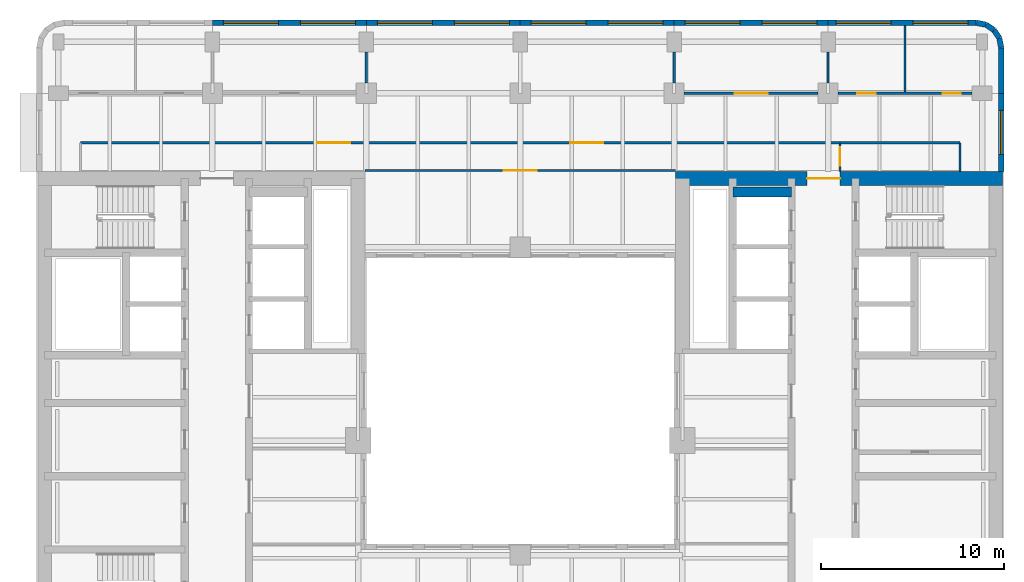
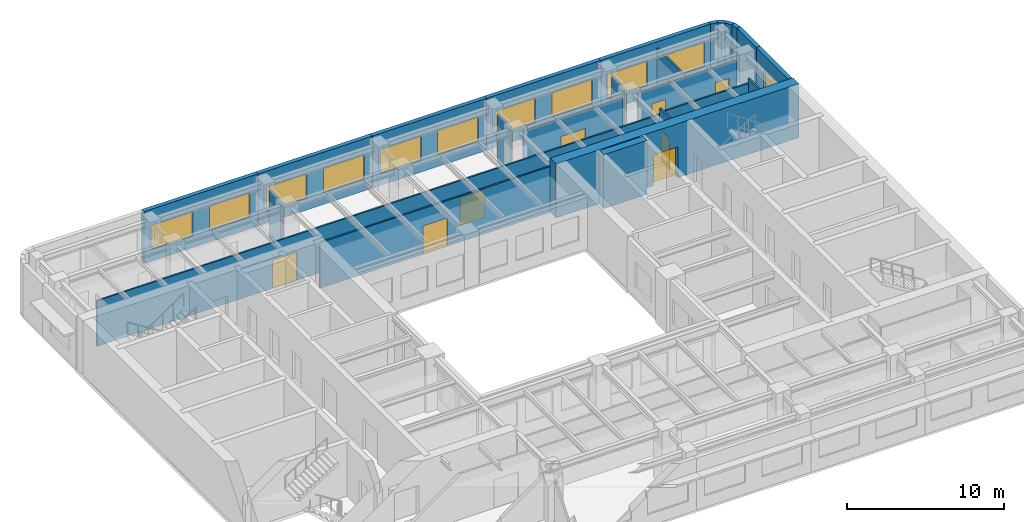
# One storey, part 7 of 11: 24 walls, 11 windows, 8 doors, 19 openings.
"""IFC4 building model written with IfcOpenShell, lengths in metres."""

from ifc_helpers import new_model, si_unit, direction, frame, frame_2d, origin, place, context, subcontext, project, spatial, rectangle, extrude, material, layer, layer_set, type_object, element, fill, save


model = new_model("IFC4")

# Units and contexts
model_context = context("Model", 3, precision=1e-05, world=origin(), true_north=direction((0.0, 1.0)))
body_context = subcontext(model_context, "Body", "Model", "MODEL_VIEW")
ifc_project = project(units=[si_unit("LENGTHUNIT", "METRE"), si_unit("AREAUNIT", "SQUARE_METRE"), si_unit("VOLUMEUNIT", "CUBIC_METRE"), si_unit("PLANEANGLEUNIT", "RADIAN"), si_unit("MASSUNIT", "GRAM", prefix="KILO")], contexts=[model_context])

# Site, building, storey
site_placement = place(None, origin())
site = spatial("IfcSite", under=ifc_project, at=site_placement, CompositionType="ELEMENT")
building_placement = place(site_placement, origin())
building = spatial("IfcBuilding", under=site, at=building_placement, Name="Claustro Exchange Tower", CompositionType="ELEMENT")
storey_placement = place(building_placement, frame((0.0, 0.0, 186.0)))
storey = spatial("IfcBuildingStorey", under=building, at=storey_placement, Name="L42", CompositionType="ELEMENT", Elevation=186.0)

# Wall
ifc_material_1 = material(Name="Laminated glass in aluminium frame", Category="aluminium")
ifc_layer_1 = layer(ifc_material_1, 0.1201171875)
ifc_layer_set_1 = layer_set([ifc_layer_1], Name="Laminated glass in aluminium frame")
wall_type_1 = type_object("IfcWallType", Name="P2 120 glazed partition", PredefinedType="PARTITIONING", material=ifc_layer_set_1)
wall_1_placement = place(storey_placement, frame((16.800048828125, 42.549072265625, 0.0), z_axis=(0.0, 0.0, 1.0), x_axis=(0.0, 1.0, 0.0)))
element("IfcWall", 1, at=wall_1_placement, inside=storey, type_object=wall_type_1, Name="Partition P2 L42", PredefinedType="PARTITIONING", context=body_context, shape_type="SweptSolid", body=[
    extrude(rectangle(XDim=1.701904296875, YDim=0.1201171875, at=frame_2d((0.85107421875, 0.0))), origin(), (0.0, 0.0, 1.0), 3.68994140625),
])

# Wall, opening, door
wall_2_placement = place(storey_placement, frame((34.14892578125, 42.0, 0.0), z_axis=(0.0, 0.0, 1.0), x_axis=(1.0, 0.0, 0.0)))
wall_2 = element("IfcWall", 2, at=wall_2_placement, inside=storey, type_object=wall_type_1, Name="Partition P2 L42", PredefinedType="PARTITIONING", context=body_context, shape_type="SweptSolid", body=[
    extrude(rectangle(XDim=7.302001953125, YDim=0.1201171875, at=frame_2d((3.65087890625, 0.0))), origin(), (0.0, 0.0, 1.0), 3.550048828125),
])
opening_1_placement = place(wall_2_placement, frame((2.7509765625, 0.0, 0.0)))
opening_1 = element("IfcOpeningElement", 3, at=opening_1_placement, cuts=wall_2, Name="Opening D2", PredefinedType="OPENING", context=body_context, shape_type="SweptSolid", body=[
    extrude(rectangle(XDim=1.800048828125, YDim=2.199951171875, at=frame_2d((0.89990234375, 1.10009765625))), frame((0.0, 0.070068359375, 0.0), z_axis=(0.0, -1.0, 0.0), x_axis=(1.0, 0.0, 0.0)), (0.0, 0.0, 1.0), 0.14013671875),
])
ifc_material_2 = material(Name="Timber door, oak veneer", Category="wood")
door_type_1 = type_object("IfcDoorType", Name="D2 1800 x 2200 double door", OperationType="DOUBLE_DOOR_SINGLE_SWING", PredefinedType="DOOR", material=ifc_material_2)
door_1_placement = place(opening_1_placement, origin())
door_1 = element("IfcDoor", 4, at=door_1_placement, inside=storey, type_object=door_type_1, Name="Double door D2 L42", OperationType="DOUBLE_DOOR_SINGLE_SWING", OverallHeight=2.199951171875, OverallWidth=1.800048828125, PredefinedType="DOOR", context=body_context, shape_type="SweptSolid", body=[
    extrude(rectangle(XDim=1.800048828125, YDim=2.199951171875, at=frame_2d((0.89990234375, 1.10009765625))), frame((0.0, 0.02490234375, 0.0), z_axis=(0.0, -1.0, 0.0), x_axis=(1.0, 0.0, 0.0)), (0.0, 0.0, 1.0), 0.050048828125),
])
fill(opening_1, door_1)

# Wall, openings, doors
wall_3_placement = place(storey_placement, frame((42.549072265625, 42.0, 0.0), z_axis=(0.0, 0.0, 1.0), x_axis=(1.0, 0.0, 0.0)))
wall_3 = element("IfcWall", 5, at=wall_3_placement, inside=storey, type_object=wall_type_1, Name="Partition P2 L42", PredefinedType="PARTITIONING", context=body_context, shape_type="SweptSolid", body=[
    extrude(rectangle(XDim=7.302001953125, YDim=0.1201171875, at=frame_2d((3.65087890625, 0.0))), origin(), (0.0, 0.0, 1.0), 3.550048828125),
])
opening_2_placement = place(wall_3_placement, frame((1.051025390625, 0.0, 0.0)))
opening_2 = element("IfcOpeningElement", 6, at=opening_2_placement, cuts=wall_3, Name="Opening D7", PredefinedType="OPENING", context=body_context, shape_type="SweptSolid", body=[
    extrude(rectangle(XDim=1.0, YDim=2.39990234375, at=frame_2d((0.5, 1.199951171875))), frame((0.0, 0.070068359375, 0.0), z_axis=(0.0, -1.0, 0.0), x_axis=(1.0, 0.0, 0.0)), (0.0, 0.0, 1.0), 0.14013671875),
])
opening_3_placement = place(wall_3_placement, frame((5.700927734375, 0.0, 0.0)))
opening_3 = element("IfcOpeningElement", 7, at=opening_3_placement, cuts=wall_3, Name="Opening D7", PredefinedType="OPENING", context=body_context, shape_type="SweptSolid", body=[
    extrude(rectangle(XDim=1.0, YDim=2.39990234375, at=frame_2d((0.5, 1.199951171875))), frame((0.0, 0.070068359375, 0.0), z_axis=(0.0, -1.0, 0.0), x_axis=(1.0, 0.0, 0.0)), (0.0, 0.0, 1.0), 0.14013671875),
])
ifc_material_3 = material(Name="Glass door in aluminium frame", Category="aluminium")
door_type_2 = type_object("IfcDoorType", Name="D7 1000 x 2400 glazed door", OperationType="SINGLE_SWING_LEFT", PredefinedType="DOOR", material=ifc_material_3)
door_2_placement = place(opening_2_placement, origin())
door_2 = element("IfcDoor", 8, at=door_2_placement, inside=storey, type_object=door_type_2, Name="Door D7 L42", OperationType="SINGLE_SWING_LEFT", OverallHeight=2.39990234375, OverallWidth=1.0, PredefinedType="DOOR", context=body_context, shape_type="SweptSolid", body=[
    extrude(rectangle(XDim=1.0, YDim=2.39990234375, at=frame_2d((0.5, 1.199951171875))), frame((0.0, 0.02490234375, 0.0), z_axis=(0.0, -1.0, 0.0), x_axis=(1.0, 0.0, 0.0)), (0.0, 0.0, 1.0), 0.050048828125),
])
fill(opening_2, door_2)
door_3_placement = place(opening_3_placement, origin())
door_3 = element("IfcDoor", 9, at=door_3_placement, inside=storey, type_object=door_type_2, Name="Door D7 L42", OperationType="SINGLE_SWING_LEFT", OverallHeight=2.39990234375, OverallWidth=1.0, PredefinedType="DOOR", context=body_context, shape_type="SweptSolid", body=[
    extrude(rectangle(XDim=1.0, YDim=2.39990234375, at=frame_2d((0.5, 1.199951171875))), frame((0.0, 0.02490234375, 0.0), z_axis=(0.0, -1.0, 0.0), x_axis=(1.0, 0.0, 0.0)), (0.0, 0.0, 1.0), 0.050048828125),
])
fill(opening_3, door_3)

# Walls
for number, where, z_axis, x_axis, name in (
    (10, (33.60009765625, 42.549072265625, 0.0), (0.0, 0.0, 1.0), (0.0, 1.0, 0.0), "Partition P2 L42"),
    (11, (42.0, 42.549072265625, 0.0), (0.0, 0.0, 1.0), (0.0, 1.0, 0.0), "Partition P2 L42"),
):
    element("IfcWall", number, at=place(storey_placement, frame(where, z_axis=z_axis, x_axis=x_axis)), inside=storey, type_object=wall_type_1, Name=name, PredefinedType="PARTITIONING", context=body_context, shape_type="SweptSolid", body=[
        extrude(rectangle(XDim=1.701904296875, YDim=0.1201171875, at=frame_2d((0.85107421875, 0.0))), origin(), (0.0, 0.0, 1.0), 3.68994140625),
    ])
wall_4_placement = place(storey_placement, frame((46.199951171875, 42.05810546875, 0.0), z_axis=(0.0, 0.0, 1.0), x_axis=(0.0, 1.0, 0.0)))
element("IfcWall", 12, at=wall_4_placement, inside=storey, type_object=wall_type_1, Name="Partition P2 L42", PredefinedType="PARTITIONING", context=body_context, shape_type="SweptSolid", body=[
    extrude(rectangle(XDim=3.643798828125, YDim=0.1201171875, at=frame_2d((1.82177734375, 0.0))), origin(), (0.0, 0.0, 1.0), 3.550048828125),
])

# Wall, openings, doors
wall_5_placement = place(storey_placement, frame((1.199951171875, 39.300048828125, 0.0), z_axis=(0.0, 0.0, 1.0), x_axis=(1.0, 0.0, 0.0)))
wall_5 = element("IfcWall", 13, at=wall_5_placement, inside=storey, type_object=wall_type_1, Name="Partition P2 L42", PredefinedType="PARTITIONING", context=body_context, shape_type="SweptSolid", body=[
    extrude(rectangle(XDim=41.4521484375, YDim=0.1201171875, at=frame_2d((20.72607421875, 0.0))), origin(), (0.0, 0.0, 1.0), 3.550048828125),
])
opening_4_placement = place(wall_5_placement, frame((12.916748046875, 0.0, 0.0)))
opening_4 = element("IfcOpeningElement", 14, at=opening_4_placement, cuts=wall_5, Name="Opening D2", PredefinedType="OPENING", context=body_context, shape_type="SweptSolid", body=[
    extrude(rectangle(XDim=1.800048828125, YDim=2.199951171875, at=frame_2d((0.89990234375, 1.10009765625))), frame((0.0, 0.070068359375, 0.0), z_axis=(0.0, -1.0, 0.0), x_axis=(1.0, 0.0, 0.0)), (0.0, 0.0, 1.0), 0.14013671875),
])
opening_5_placement = place(wall_5_placement, frame((26.7333984375, 0.0, 0.0)))
opening_5 = element("IfcOpeningElement", 15, at=opening_5_placement, cuts=wall_5, Name="Opening D2", PredefinedType="OPENING", context=body_context, shape_type="SweptSolid", body=[
    extrude(rectangle(XDim=1.800048828125, YDim=2.199951171875, at=frame_2d((0.89990234375, 1.10009765625))), frame((0.0, 0.070068359375, 0.0), z_axis=(0.0, -1.0, 0.0), x_axis=(1.0, 0.0, 0.0)), (0.0, 0.0, 1.0), 0.14013671875),
])
door_4_placement = place(opening_4_placement, origin())
door_4 = element("IfcDoor", 16, at=door_4_placement, inside=storey, type_object=door_type_1, Name="Double door D2 L42", OperationType="DOUBLE_DOOR_SINGLE_SWING", OverallHeight=2.199951171875, OverallWidth=1.800048828125, PredefinedType="DOOR", context=body_context, shape_type="SweptSolid", body=[
    extrude(rectangle(XDim=1.800048828125, YDim=2.199951171875, at=frame_2d((0.89990234375, 1.10009765625))), frame((0.0, 0.02490234375, 0.0), z_axis=(0.0, -1.0, 0.0), x_axis=(1.0, 0.0, 0.0)), (0.0, 0.0, 1.0), 0.050048828125),
])
fill(opening_4, door_4)
door_5_placement = place(opening_5_placement, origin())
door_5 = element("IfcDoor", 17, at=door_5_placement, inside=storey, type_object=door_type_1, Name="Double door D2 L42", OperationType="DOUBLE_DOOR_SINGLE_SWING", OverallHeight=2.199951171875, OverallWidth=1.800048828125, PredefinedType="DOOR", context=body_context, shape_type="SweptSolid", body=[
    extrude(rectangle(XDim=1.800048828125, YDim=2.199951171875, at=frame_2d((0.89990234375, 1.10009765625))), frame((0.0, 0.02490234375, 0.0), z_axis=(0.0, -1.0, 0.0), x_axis=(1.0, 0.0, 0.0)), (0.0, 0.0, 1.0), 0.050048828125),
])
fill(opening_5, door_5)

# Wall, opening, door
wall_6_placement = place(storey_placement, frame((42.64990234375, 37.72412109375, 0.0), z_axis=(0.0, 0.0, 1.0), x_axis=(0.0, 1.0, 0.0)))
wall_6 = element("IfcWall", 18, at=wall_6_placement, inside=storey, type_object=wall_type_1, Name="Partition P2 L42", PredefinedType="PARTITIONING", context=body_context, shape_type="SweptSolid", body=[
    extrude(rectangle(XDim=1.517822265625, YDim=0.1201171875, at=frame_2d((0.7587890625, 0.0))), origin(), (0.0, 0.0, 1.0), 4.050048828125),
])
opening_6_placement = place(wall_6_placement, frame((0.325927734375, 0.0, 0.0)))
opening_6 = element("IfcOpeningElement", 19, at=opening_6_placement, cuts=wall_6, Name="Opening D7", PredefinedType="OPENING", context=body_context, shape_type="SweptSolid", body=[
    extrude(rectangle(XDim=1.0, YDim=2.39990234375, at=frame_2d((0.5, 1.199951171875))), frame((0.0, 0.070068359375, 0.0), z_axis=(0.0, -1.0, 0.0), x_axis=(1.0, 0.0, 0.0)), (0.0, 0.0, 1.0), 0.14013671875),
])
door_6_placement = place(opening_6_placement, frame((1.0, 0.0, 0.0), z_axis=(0.0, 0.0, 1.0), x_axis=(-1.0, 0.0, 0.0)))
door_6 = element("IfcDoor", 20, at=door_6_placement, inside=storey, type_object=door_type_2, Name="Door D7 L42", OperationType="SINGLE_SWING_RIGHT", OverallHeight=2.39990234375, OverallWidth=1.0, PredefinedType="DOOR", context=body_context, shape_type="SweptSolid", body=[
    extrude(rectangle(XDim=1.0, YDim=2.39990234375, at=frame_2d((0.5, 1.199951171875))), frame((0.0, 0.02490234375, 0.0), z_axis=(0.0, -1.0, 0.0), x_axis=(1.0, 0.0, 0.0)), (0.0, 0.0, 1.0), 0.050048828125),
])
fill(opening_6, door_6)

# Walls
wall_7_placement = place(storey_placement, frame((42.64794921875, 39.300048828125, 0.0), z_axis=(0.0, 0.0, 1.0), x_axis=(1.0, 0.0, 0.0)))
element("IfcWall", 21, at=wall_7_placement, inside=storey, type_object=wall_type_1, Name="Partition P2 L42", PredefinedType="PARTITIONING", context=body_context, shape_type="SweptSolid", body=[
    extrude(rectangle(XDim=6.552001953125, YDim=0.1201171875, at=frame_2d((3.27587890625, 0.0))), origin(), (0.0, 0.0, 1.0), 3.68994140625),
])
wall_8_placement = place(storey_placement, frame((49.199951171875, 37.72412109375, 0.0), z_axis=(0.0, 0.0, 1.0), x_axis=(0.0, 1.0, 0.0)))
element("IfcWall", 22, at=wall_8_placement, inside=storey, type_object=wall_type_1, Name="Partition P2 L42", PredefinedType="PARTITIONING", context=body_context, shape_type="SweptSolid", body=[
    extrude(rectangle(XDim=1.575927734375, YDim=0.1201171875, at=frame_2d((0.7880859375, 0.0))), origin(), (0.0, 0.0, 1.0), 4.050048828125),
])

# Wall, opening, door
wall_9_placement = place(storey_placement, frame((16.72509765625, 37.784912109375, 0.0), z_axis=(0.0, 0.0, 1.0), x_axis=(1.0, 0.0, 0.0)))
wall_9 = element("IfcWall", 23, at=wall_9_placement, inside=storey, type_object=wall_type_1, Name="Partition P2 L42", PredefinedType="PARTITIONING", context=body_context, shape_type="SweptSolid", body=[
    extrude(rectangle(XDim=16.949951171875, YDim=0.1201171875, at=frame_2d((8.47509765625, 0.0))), origin(), (0.0, 0.0, 1.0), 3.550048828125),
])
opening_7_placement = place(wall_9_placement, frame((7.574951171875, 0.0, 0.0)))
opening_7 = element("IfcOpeningElement", 24, at=opening_7_placement, cuts=wall_9, Name="Opening D2", PredefinedType="OPENING", context=body_context, shape_type="SweptSolid", body=[
    extrude(rectangle(XDim=1.800048828125, YDim=2.199951171875, at=frame_2d((0.89990234375, 1.10009765625))), frame((0.0, 0.070068359375, 0.0), z_axis=(0.0, -1.0, 0.0), x_axis=(1.0, 0.0, 0.0)), (0.0, 0.0, 1.0), 0.14013671875),
])
door_7_placement = place(opening_7_placement, frame((1.800048828125, 0.0, 0.0), z_axis=(0.0, 0.0, 1.0), x_axis=(-1.0, 0.0, 0.0)))
door_7 = element("IfcDoor", 25, at=door_7_placement, inside=storey, type_object=door_type_1, Name="Double door D2 L42", OperationType="DOUBLE_DOOR_SINGLE_SWING", OverallHeight=2.199951171875, OverallWidth=1.800048828125, PredefinedType="DOOR", context=body_context, shape_type="SweptSolid", body=[
    extrude(rectangle(XDim=1.800048828125, YDim=2.199951171875, at=frame_2d((0.89990234375, 1.10009765625))), frame((0.0, 0.02490234375, 0.0), z_axis=(0.0, -1.0, 0.0), x_axis=(1.0, 0.0, 0.0)), (0.0, 0.0, 1.0), 0.050048828125),
])
fill(opening_7, door_7)

# Wall, openings, windows
ifc_material_4 = material(Name="Concrete HA-40 (C40/50), precast, white cement, acid-etched", Category="concrete")
ifc_layer_2 = layer(ifc_material_4, 0.300048828125)
ifc_layer_set_2 = layer_set([ifc_layer_2], Name="Concrete HA-40 (C40/50), precast, white cement, acid-etched")
wall_type_2 = type_object("IfcWallType", Name="PC1 300 precast concrete pier panel", PredefinedType="SOLIDWALL", material=ifc_layer_set_2)
wall_10_placement = place(storey_placement, frame((8.39990234375, 45.85009765625, 0.0), z_axis=(0.0, 0.0, 1.0), x_axis=(1.0, 0.0, 0.0)))
wall_10 = element("IfcWall", 26, at=wall_10_placement, inside=storey, type_object=wall_type_2, Name="Precast pier panel PC1 L42", PredefinedType="SOLIDWALL", context=body_context, shape_type="SweptSolid", body=[
    extrude(rectangle(XDim=8.400146484375, YDim=0.300048828125, at=frame_2d((4.2001953125, 0.0))), origin(), (0.0, 0.0, 1.0), 4.050048828125),
])
opening_8_placement = place(wall_10_placement, frame((0.60009765625, 0.0, 0.89990234375)))
opening_8 = element("IfcOpeningElement", 27, at=opening_8_placement, cuts=wall_10, Name="Opening W1", PredefinedType="OPENING", context=body_context, shape_type="SweptSolid", body=[
    extrude(rectangle(XDim=3.0, YDim=1.89990234375, at=frame_2d((1.5, 0.949951171875))), frame((0.0, 0.159912109375, 0.0), z_axis=(0.0, -1.0, 0.0), x_axis=(1.0, 0.0, 0.0)), (0.0, 0.0, 1.0), 0.320068359375),
])
opening_9_placement = place(wall_10_placement, frame((4.800048828125, 0.0, 0.89990234375)))
opening_9 = element("IfcOpeningElement", 28, at=opening_9_placement, cuts=wall_10, Name="Opening W1", PredefinedType="OPENING", context=body_context, shape_type="SweptSolid", body=[
    extrude(rectangle(XDim=3.0, YDim=1.89990234375, at=frame_2d((1.5, 0.949951171875))), frame((0.0, 0.159912109375, 0.0), z_axis=(0.0, -1.0, 0.0), x_axis=(1.0, 0.0, 0.0)), (0.0, 0.0, 1.0), 0.320068359375),
])
ifc_material_5 = material(Name="Aluminium frame, clear double glazing", Category="aluminium")
window_type_1 = type_object("IfcWindowType", Name="W1 3000 x 1900 window", PartitioningType="SINGLE_PANEL", PredefinedType="WINDOW", material=ifc_material_5)
window_1_placement = place(opening_8_placement, origin())
window_1 = element("IfcWindow", 29, at=window_1_placement, inside=storey, type_object=window_type_1, Name="Window W1 L42", OverallHeight=1.89990234375, OverallWidth=3.0, PartitioningType="SINGLE_PANEL", PredefinedType="WINDOW", context=body_context, shape_type="SweptSolid", body=[
    extrude(rectangle(XDim=3.0, YDim=1.89990234375, at=frame_2d((1.5, 0.949951171875))), frame((0.0, 0.030029296875, 0.0), z_axis=(0.0, -1.0, 0.0), x_axis=(1.0, 0.0, 0.0)), (0.0, 0.0, 1.0), 0.06005859375),
])
fill(opening_8, window_1)
window_2_placement = place(opening_9_placement, origin())
window_2 = element("IfcWindow", 30, at=window_2_placement, inside=storey, type_object=window_type_1, Name="Window W1 L42", OverallHeight=1.89990234375, OverallWidth=3.0, PartitioningType="SINGLE_PANEL", PredefinedType="WINDOW", context=body_context, shape_type="SweptSolid", body=[
    extrude(rectangle(XDim=3.0, YDim=1.89990234375, at=frame_2d((1.5, 0.949951171875))), frame((0.0, 0.030029296875, 0.0), z_axis=(0.0, -1.0, 0.0), x_axis=(1.0, 0.0, 0.0)), (0.0, 0.0, 1.0), 0.06005859375),
])
fill(opening_9, window_2)

wall_11_placement = place(storey_placement, frame((16.800048828125, 45.85009765625, 0.0), z_axis=(0.0, 0.0, 1.0), x_axis=(1.0, 0.0, 0.0)))
wall_11 = element("IfcWall", 31, at=wall_11_placement, inside=storey, type_object=wall_type_2, Name="Precast pier panel PC1 L42", PredefinedType="SOLIDWALL", context=body_context, shape_type="SweptSolid", body=[
    extrude(rectangle(XDim=8.39990234375, YDim=0.300048828125, at=frame_2d((4.199951171875, 0.0))), origin(), (0.0, 0.0, 1.0), 4.050048828125),
])
opening_10_placement = place(wall_11_placement, frame((0.60009765625, 0.0, 0.89990234375)))
opening_10 = element("IfcOpeningElement", 32, at=opening_10_placement, cuts=wall_11, Name="Opening W1", PredefinedType="OPENING", context=body_context, shape_type="SweptSolid", body=[
    extrude(rectangle(XDim=3.0, YDim=1.89990234375, at=frame_2d((1.5, 0.949951171875))), frame((0.0, 0.159912109375, 0.0), z_axis=(0.0, -1.0, 0.0), x_axis=(1.0, 0.0, 0.0)), (0.0, 0.0, 1.0), 0.320068359375),
])
opening_11_placement = place(wall_11_placement, frame((4.800048828125, 0.0, 0.89990234375)))
opening_11 = element("IfcOpeningElement", 33, at=opening_11_placement, cuts=wall_11, Name="Opening W1", PredefinedType="OPENING", context=body_context, shape_type="SweptSolid", body=[
    extrude(rectangle(XDim=3.0, YDim=1.89990234375, at=frame_2d((1.5, 0.949951171875))), frame((0.0, 0.159912109375, 0.0), z_axis=(0.0, -1.0, 0.0), x_axis=(1.0, 0.0, 0.0)), (0.0, 0.0, 1.0), 0.320068359375),
])
window_3_placement = place(opening_10_placement, origin())
window_3 = element("IfcWindow", 34, at=window_3_placement, inside=storey, type_object=window_type_1, Name="Window W1 L42", OverallHeight=1.89990234375, OverallWidth=3.0, PartitioningType="SINGLE_PANEL", PredefinedType="WINDOW", context=body_context, shape_type="SweptSolid", body=[
    extrude(rectangle(XDim=3.0, YDim=1.89990234375, at=frame_2d((1.5, 0.949951171875))), frame((0.0, 0.030029296875, 0.0), z_axis=(0.0, -1.0, 0.0), x_axis=(1.0, 0.0, 0.0)), (0.0, 0.0, 1.0), 0.06005859375),
])
fill(opening_10, window_3)
window_4_placement = place(opening_11_placement, origin())
window_4 = element("IfcWindow", 35, at=window_4_placement, inside=storey, type_object=window_type_1, Name="Window W1 L42", OverallHeight=1.89990234375, OverallWidth=3.0, PartitioningType="SINGLE_PANEL", PredefinedType="WINDOW", context=body_context, shape_type="SweptSolid", body=[
    extrude(rectangle(XDim=3.0, YDim=1.89990234375, at=frame_2d((1.5, 0.949951171875))), frame((0.0, 0.030029296875, 0.0), z_axis=(0.0, -1.0, 0.0), x_axis=(1.0, 0.0, 0.0)), (0.0, 0.0, 1.0), 0.06005859375),
])
fill(opening_11, window_4)

wall_12_placement = place(storey_placement, frame((25.199951171875, 45.85009765625, 0.0), z_axis=(0.0, 0.0, 1.0), x_axis=(1.0, 0.0, 0.0)))
wall_12 = element("IfcWall", 36, at=wall_12_placement, inside=storey, type_object=wall_type_2, Name="Precast pier panel PC1 L42", PredefinedType="SOLIDWALL", context=body_context, shape_type="SweptSolid", body=[
    extrude(rectangle(XDim=8.400146484375, YDim=0.300048828125, at=frame_2d((4.2001953125, 0.0))), origin(), (0.0, 0.0, 1.0), 4.050048828125),
])
opening_12_placement = place(wall_12_placement, frame((0.60009765625, 0.0, 0.89990234375)))
opening_12 = element("IfcOpeningElement", 37, at=opening_12_placement, cuts=wall_12, Name="Opening W1", PredefinedType="OPENING", context=body_context, shape_type="SweptSolid", body=[
    extrude(rectangle(XDim=3.0, YDim=1.89990234375, at=frame_2d((1.5, 0.949951171875))), frame((0.0, 0.159912109375, 0.0), z_axis=(0.0, -1.0, 0.0), x_axis=(1.0, 0.0, 0.0)), (0.0, 0.0, 1.0), 0.320068359375),
])
opening_13_placement = place(wall_12_placement, frame((4.800048828125, 0.0, 0.89990234375)))
opening_13 = element("IfcOpeningElement", 38, at=opening_13_placement, cuts=wall_12, Name="Opening W1", PredefinedType="OPENING", context=body_context, shape_type="SweptSolid", body=[
    extrude(rectangle(XDim=3.0, YDim=1.89990234375, at=frame_2d((1.5, 0.949951171875))), frame((0.0, 0.159912109375, 0.0), z_axis=(0.0, -1.0, 0.0), x_axis=(1.0, 0.0, 0.0)), (0.0, 0.0, 1.0), 0.320068359375),
])
window_5_placement = place(opening_12_placement, origin())
window_5 = element("IfcWindow", 39, at=window_5_placement, inside=storey, type_object=window_type_1, Name="Window W1 L42", OverallHeight=1.89990234375, OverallWidth=3.0, PartitioningType="SINGLE_PANEL", PredefinedType="WINDOW", context=body_context, shape_type="SweptSolid", body=[
    extrude(rectangle(XDim=3.0, YDim=1.89990234375, at=frame_2d((1.5, 0.949951171875))), frame((0.0, 0.030029296875, 0.0), z_axis=(0.0, -1.0, 0.0), x_axis=(1.0, 0.0, 0.0)), (0.0, 0.0, 1.0), 0.06005859375),
])
fill(opening_12, window_5)
window_6_placement = place(opening_13_placement, origin())
window_6 = element("IfcWindow", 40, at=window_6_placement, inside=storey, type_object=window_type_1, Name="Window W1 L42", OverallHeight=1.89990234375, OverallWidth=3.0, PartitioningType="SINGLE_PANEL", PredefinedType="WINDOW", context=body_context, shape_type="SweptSolid", body=[
    extrude(rectangle(XDim=3.0, YDim=1.89990234375, at=frame_2d((1.5, 0.949951171875))), frame((0.0, 0.030029296875, 0.0), z_axis=(0.0, -1.0, 0.0), x_axis=(1.0, 0.0, 0.0)), (0.0, 0.0, 1.0), 0.06005859375),
])
fill(opening_13, window_6)

wall_13_placement = place(storey_placement, frame((33.60009765625, 45.85009765625, 0.0), z_axis=(0.0, 0.0, 1.0), x_axis=(1.0, 0.0, 0.0)))
wall_13 = element("IfcWall", 41, at=wall_13_placement, inside=storey, type_object=wall_type_2, Name="Precast pier panel PC1 L42", PredefinedType="SOLIDWALL", context=body_context, shape_type="SweptSolid", body=[
    extrude(rectangle(XDim=8.39990234375, YDim=0.300048828125, at=frame_2d((4.199951171875, 0.0))), origin(), (0.0, 0.0, 1.0), 4.050048828125),
])
opening_14_placement = place(wall_13_placement, frame((0.60009765625, 0.0, 0.89990234375)))
opening_14 = element("IfcOpeningElement", 42, at=opening_14_placement, cuts=wall_13, Name="Opening W1", PredefinedType="OPENING", context=body_context, shape_type="SweptSolid", body=[
    extrude(rectangle(XDim=3.0, YDim=1.89990234375, at=frame_2d((1.5, 0.949951171875))), frame((0.0, 0.159912109375, 0.0), z_axis=(0.0, -1.0, 0.0), x_axis=(1.0, 0.0, 0.0)), (0.0, 0.0, 1.0), 0.320068359375),
])
opening_15_placement = place(wall_13_placement, frame((4.800048828125, 0.0, 0.89990234375)))
opening_15 = element("IfcOpeningElement", 43, at=opening_15_placement, cuts=wall_13, Name="Opening W1", PredefinedType="OPENING", context=body_context, shape_type="SweptSolid", body=[
    extrude(rectangle(XDim=3.0, YDim=1.89990234375, at=frame_2d((1.5, 0.949951171875))), frame((0.0, 0.159912109375, 0.0), z_axis=(0.0, -1.0, 0.0), x_axis=(1.0, 0.0, 0.0)), (0.0, 0.0, 1.0), 0.320068359375),
])
window_7_placement = place(opening_14_placement, origin())
window_7 = element("IfcWindow", 44, at=window_7_placement, inside=storey, type_object=window_type_1, Name="Window W1 L42", OverallHeight=1.89990234375, OverallWidth=3.0, PartitioningType="SINGLE_PANEL", PredefinedType="WINDOW", context=body_context, shape_type="SweptSolid", body=[
    extrude(rectangle(XDim=3.0, YDim=1.89990234375, at=frame_2d((1.5, 0.949951171875))), frame((0.0, 0.030029296875, 0.0), z_axis=(0.0, -1.0, 0.0), x_axis=(1.0, 0.0, 0.0)), (0.0, 0.0, 1.0), 0.06005859375),
])
fill(opening_14, window_7)
window_8_placement = place(opening_15_placement, origin())
window_8 = element("IfcWindow", 45, at=window_8_placement, inside=storey, type_object=window_type_1, Name="Window W1 L42", OverallHeight=1.89990234375, OverallWidth=3.0, PartitioningType="SINGLE_PANEL", PredefinedType="WINDOW", context=body_context, shape_type="SweptSolid", body=[
    extrude(rectangle(XDim=3.0, YDim=1.89990234375, at=frame_2d((1.5, 0.949951171875))), frame((0.0, 0.030029296875, 0.0), z_axis=(0.0, -1.0, 0.0), x_axis=(1.0, 0.0, 0.0)), (0.0, 0.0, 1.0), 0.06005859375),
])
fill(opening_15, window_8)

wall_14_placement = place(storey_placement, frame((42.0, 45.85009765625, 0.0), z_axis=(0.0, 0.0, 1.0), x_axis=(1.0, 0.0, 0.0)))
wall_14 = element("IfcWall", 46, at=wall_14_placement, inside=storey, type_object=wall_type_2, Name="Precast pier panel PC1 L42", PredefinedType="SOLIDWALL", context=body_context, shape_type="SweptSolid", body=[
    extrude(rectangle(XDim=8.085205078125, YDim=0.300048828125, at=frame_2d((4.04248046875, 0.0))), origin(), (0.0, 0.0, 1.0), 4.050048828125),
])
opening_16_placement = place(wall_14_placement, frame((0.442626953125, 0.0, 0.89990234375)))
opening_16 = element("IfcOpeningElement", 47, at=opening_16_placement, cuts=wall_14, Name="Opening W1", PredefinedType="OPENING", context=body_context, shape_type="SweptSolid", body=[
    extrude(rectangle(XDim=3.0, YDim=1.89990234375, at=frame_2d((1.5, 0.949951171875))), frame((0.0, 0.159912109375, 0.0), z_axis=(0.0, -1.0, 0.0), x_axis=(1.0, 0.0, 0.0)), (0.0, 0.0, 1.0), 0.320068359375),
])
opening_17_placement = place(wall_14_placement, frame((4.642578125, 0.0, 0.89990234375)))
opening_17 = element("IfcOpeningElement", 48, at=opening_17_placement, cuts=wall_14, Name="Opening W1", PredefinedType="OPENING", context=body_context, shape_type="SweptSolid", body=[
    extrude(rectangle(XDim=3.0, YDim=1.89990234375, at=frame_2d((1.5, 0.949951171875))), frame((0.0, 0.159912109375, 0.0), z_axis=(0.0, -1.0, 0.0), x_axis=(1.0, 0.0, 0.0)), (0.0, 0.0, 1.0), 0.320068359375),
])
window_9_placement = place(opening_16_placement, origin())
window_9 = element("IfcWindow", 49, at=window_9_placement, inside=storey, type_object=window_type_1, Name="Window W1 L42", OverallHeight=1.89990234375, OverallWidth=3.0, PartitioningType="SINGLE_PANEL", PredefinedType="WINDOW", context=body_context, shape_type="SweptSolid", body=[
    extrude(rectangle(XDim=3.0, YDim=1.89990234375, at=frame_2d((1.5, 0.949951171875))), frame((0.0, 0.030029296875, 0.0), z_axis=(0.0, -1.0, 0.0), x_axis=(1.0, 0.0, 0.0)), (0.0, 0.0, 1.0), 0.06005859375),
])
fill(opening_16, window_9)
window_10_placement = place(opening_17_placement, origin())
window_10 = element("IfcWindow", 50, at=window_10_placement, inside=storey, type_object=window_type_1, Name="Window W1 L42", OverallHeight=1.89990234375, OverallWidth=3.0, PartitioningType="SINGLE_PANEL", PredefinedType="WINDOW", context=body_context, shape_type="SweptSolid", body=[
    extrude(rectangle(XDim=3.0, YDim=1.89990234375, at=frame_2d((1.5, 0.949951171875))), frame((0.0, 0.030029296875, 0.0), z_axis=(0.0, -1.0, 0.0), x_axis=(1.0, 0.0, 0.0)), (0.0, 0.0, 1.0), 0.06005859375),
])
fill(opening_17, window_10)

# Walls
wall_15_placement = place(storey_placement, frame((50.085205078125, 45.85009765625, 0.0), z_axis=(0.0, 0.0, 1.0), x_axis=(0.980702050465, -0.1955082817, 0.0)))
element("IfcWall", 51, at=wall_15_placement, inside=storey, type_object=wall_type_2, Name="Precast pier panel PC1 L42", PredefinedType="SOLIDWALL", context=body_context, shape_type="SweptSolid", body=[
    extrude(rectangle(XDim=0.540771484375, YDim=0.300048828125, at=frame_2d((0.2705078125, 0.0))), origin(), (0.0, 0.0, 1.0), 4.050048828125),
])
wall_16_placement = place(storey_placement, frame((50.615478515625, 45.744384765625, 0.0), z_axis=(0.0, 0.0, 1.0), x_axis=(0.831692711774, -0.555236195849, 0.0)))
element("IfcWall", 52, at=wall_16_placement, inside=storey, type_object=wall_type_2, Name="Precast pier panel PC1 L42", PredefinedType="SOLIDWALL", context=body_context, shape_type="SweptSolid", body=[
    extrude(rectangle(XDim=0.525390625, YDim=0.300048828125, at=frame_2d((0.2626953125, 0.0))), origin(), (0.0, 0.0, 1.0), 4.050048828125),
])
wall_17_placement = place(storey_placement, frame((51.052490234375, 45.45263671875, 0.0), z_axis=(0.0, 0.0, 1.0), x_axis=(0.55534295404, -0.831621430339, 0.0)))
element("IfcWall", 53, at=wall_17_placement, inside=storey, type_object=wall_type_2, Name="Precast pier panel PC1 L42", PredefinedType="SOLIDWALL", context=body_context, shape_type="SweptSolid", body=[
    extrude(rectangle(XDim=0.52587890625, YDim=0.300048828125, at=frame_2d((0.262939453125, 0.0))), origin(), (0.0, 0.0, 1.0), 4.050048828125),
])
wall_18_placement = place(storey_placement, frame((51.344482421875, 45.015380859375, 0.0), z_axis=(0.0, 0.0, 1.0), x_axis=(0.195073962632, -0.980788534345, 0.0)))
element("IfcWall", 54, at=wall_18_placement, inside=storey, type_object=wall_type_2, Name="Precast pier panel PC1 L42", PredefinedType="SOLIDWALL", context=body_context, shape_type="SweptSolid", body=[
    extrude(rectangle(XDim=0.540771484375, YDim=0.300048828125, at=frame_2d((0.2705078125, 0.0))), origin(), (0.0, 0.0, 1.0), 4.050048828125),
])
wall_19_placement = place(storey_placement, frame((51.449951171875, 44.485107421875, 0.0), z_axis=(0.0, 0.0, 1.0), x_axis=(0.0, -1.0, 0.0)))
element("IfcWall", 55, at=wall_19_placement, inside=storey, type_object=wall_type_2, Name="Precast pier panel PC1 L42", PredefinedType="SOLIDWALL", context=body_context, shape_type="SweptSolid", body=[
    extrude(rectangle(XDim=2.485107421875, YDim=0.300048828125, at=frame_2d((1.24267578125, 0.0))), origin(), (0.0, 0.0, 1.0), 4.050048828125),
])

# Wall, opening, window
wall_20_placement = place(storey_placement, frame((51.449951171875, 42.0, 0.0), z_axis=(0.0, 0.0, 1.0), x_axis=(0.0, -1.0, 0.0)))
wall_20 = element("IfcWall", 56, at=wall_20_placement, inside=storey, type_object=wall_type_2, Name="Precast pier panel PC1 L42", PredefinedType="SOLIDWALL", context=body_context, shape_type="SweptSolid", body=[
    extrude(rectangle(XDim=4.27490234375, YDim=0.300048828125, at=frame_2d((2.137451171875, 0.0))), origin(), (0.0, 0.0, 1.0), 4.050048828125),
])
opening_18_placement = place(wall_20_placement, frame((0.9375, 0.0, 0.89990234375)))
opening_18 = element("IfcOpeningElement", 57, at=opening_18_placement, cuts=wall_20, Name="Opening W2", PredefinedType="OPENING", context=body_context, shape_type="SweptSolid", body=[
    extrude(rectangle(XDim=2.39990234375, YDim=1.89990234375, at=frame_2d((1.199951171875, 0.949951171875))), frame((0.0, 0.159912109375, 0.0), z_axis=(0.0, -1.0, 0.0), x_axis=(1.0, 0.0, 0.0)), (0.0, 0.0, 1.0), 0.320068359375),
])
ifc_material_6 = material(Name="Aluminium frame, clear double glazing", Category="aluminium")
window_type_2 = type_object("IfcWindowType", Name="W2 2400 x 1900 window", PartitioningType="SINGLE_PANEL", PredefinedType="WINDOW", material=ifc_material_6)
window_11_placement = place(opening_18_placement, origin())
window_11 = element("IfcWindow", 58, at=window_11_placement, inside=storey, type_object=window_type_2, Name="Window W2 L42", OverallHeight=1.89990234375, OverallWidth=2.39990234375, PartitioningType="SINGLE_PANEL", PredefinedType="WINDOW", context=body_context, shape_type="SweptSolid", body=[
    extrude(rectangle(XDim=2.39990234375, YDim=1.89990234375, at=frame_2d((1.199951171875, 0.949951171875))), frame((0.0, 0.030029296875, 0.0), z_axis=(0.0, -1.0, 0.0), x_axis=(1.0, 0.0, 0.0)), (0.0, 0.0, 1.0), 0.06005859375),
])
fill(opening_18, window_11)

# Wall, opening, door
ifc_material_7 = material(Name="Concrete HA-70 (C70/85)", Category="concrete")
ifc_layer_3 = layer(ifc_material_7, 0.75)
ifc_layer_set_3 = layer_set([ifc_layer_3], Name="Concrete HA-70 (C70/85)")
wall_type_3 = type_object("IfcWallType", Name="SW2 750 core shear wall", PredefinedType="SHEAR", material=ifc_layer_set_3)
wall_21_placement = place(storey_placement, frame((33.675048828125, 37.35009765625, 0.0), z_axis=(0.0, 0.0, 1.0), x_axis=(1.0, 0.0, 0.0)))
wall_21 = element("IfcWall", 59, at=wall_21_placement, inside=storey, type_object=wall_type_3, Name="Core wall SW2 E core N face L42", PredefinedType="SHEAR", context=body_context, shape_type="SweptSolid", body=[
    extrude(rectangle(XDim=17.849853515625, YDim=0.75, at=frame_2d((8.9248046875, 0.0))), origin(), (0.0, 0.0, 1.0), 4.199951171875),
])
opening_19_placement = place(wall_21_placement, frame((7.175048828125, 0.0, 0.0)))
opening_19 = element("IfcOpeningElement", 60, at=opening_19_placement, cuts=wall_21, Name="Opening D3", PredefinedType="OPENING", context=body_context, shape_type="SweptSolid", body=[
    extrude(rectangle(XDim=1.800048828125, YDim=2.39990234375, at=frame_2d((0.89990234375, 1.199951171875))), frame((0.0, 0.385009765625, 0.0), z_axis=(0.0, -1.0, 0.0), x_axis=(1.0, 0.0, 0.0)), (0.0, 0.0, 1.0), 0.77001953125),
])
ifc_material_8 = material(Name="Steel fire door, painted", Category="steel")
door_type_3 = type_object("IfcDoorType", Name="D3 1800 x 2400 fire-rated lobby double door", OperationType="DOUBLE_DOOR_SINGLE_SWING", PredefinedType="DOOR", material=ifc_material_8)
door_8_placement = place(opening_19_placement, frame((1.800048828125, 0.0, 0.0), z_axis=(0.0, 0.0, 1.0), x_axis=(-1.0, 0.0, 0.0)))
door_8 = element("IfcDoor", 61, at=door_8_placement, inside=storey, type_object=door_type_3, Name="Lift lobby door D3 L42", OperationType="DOUBLE_DOOR_SINGLE_SWING", OverallHeight=2.39990234375, OverallWidth=1.800048828125, PredefinedType="DOOR", context=body_context, shape_type="SweptSolid", body=[
    extrude(rectangle(XDim=1.800048828125, YDim=2.39990234375, at=frame_2d((0.89990234375, 1.199951171875))), frame((0.0, 0.02490234375, 0.0), z_axis=(0.0, -1.0, 0.0), x_axis=(1.0, 0.0, 0.0)), (0.0, 0.0, 1.0), 0.050048828125),
])
fill(opening_19, door_8)

# Wall
ifc_material_9 = material(Name="Concrete HA-50 (C50/60)", Category="concrete")
ifc_layer_4 = layer(ifc_material_9, 0.550048828125)
ifc_layer_set_4 = layer_set([ifc_layer_4], Name="Concrete HA-50 (C50/60)")
wall_type_4 = type_object("IfcWallType", Name="SW6 550 lift shaft end wall", PredefinedType="SHEAR", material=ifc_layer_set_4)
wall_22_placement = place(storey_placement, frame((40.0, 36.625, 0.0), z_axis=(0.0, 0.0, 1.0), x_axis=(-1.0, 0.0, 0.0)))
element("IfcWall", 62, at=wall_22_placement, inside=storey, type_object=wall_type_4, Name="Lift shaft wall E core L42", PredefinedType="SHEAR", context=body_context, shape_type="SweptSolid", body=[
    extrude(rectangle(XDim=3.199951171875, YDim=0.550048828125, at=frame_2d((1.60009765625, 0.0))), origin(), (0.0, 0.0, 1.0), 4.199951171875),
])

save(model, "model.ifc")
